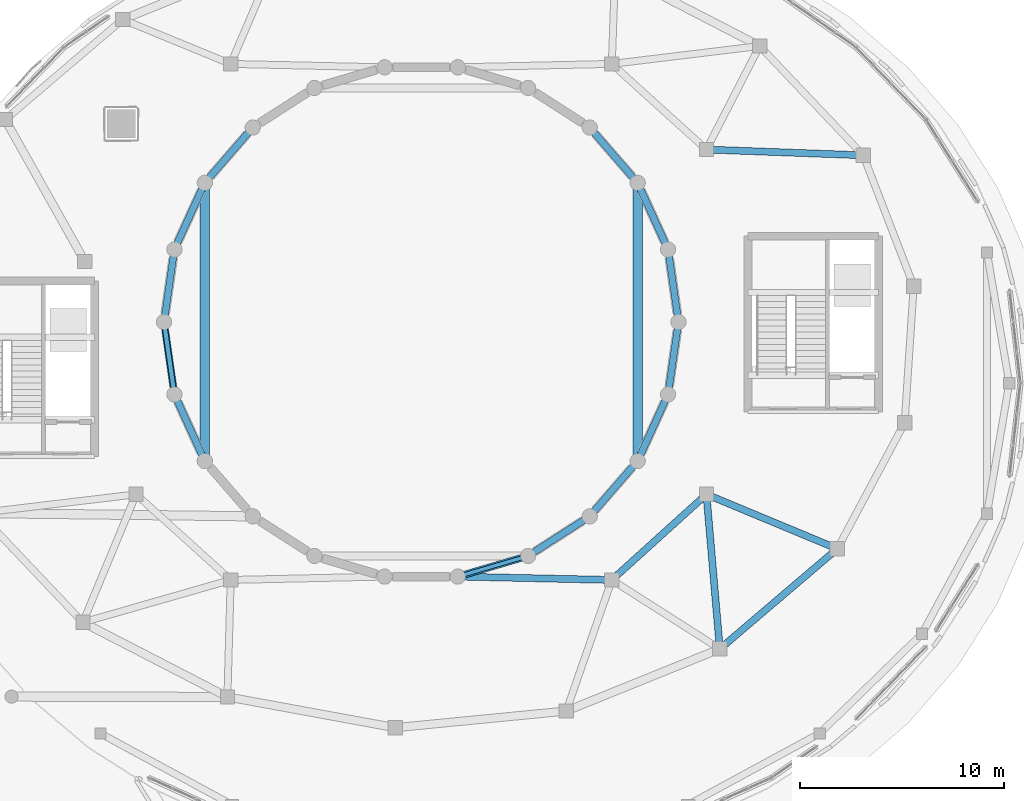
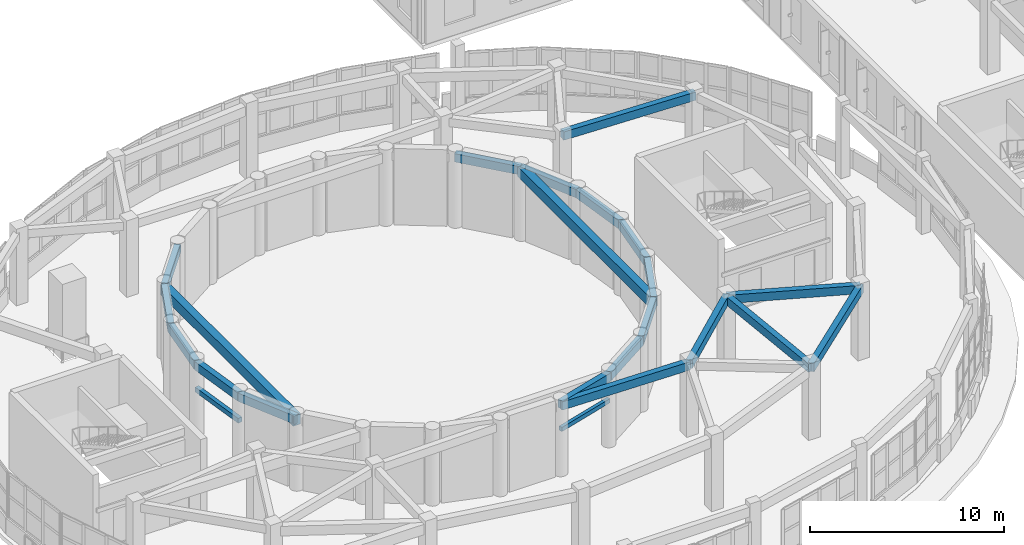
# One storey, part 41 of 98: 23 beams.
"""IFC4 building model written with IfcOpenShell, lengths in metres."""

import ifcopenshell
import ifcopenshell.guid

model = None  # the IFC model being written
_history = None  # IfcOwnerHistory: only IFC2X3 demands one
_inside = {}  # id of a spatial element -> (the spatial element, [elements in it])
_under = {}  # id of a project, library or spatial element -> (it, [spatial elements below it])
_declared = {}  # id of a project -> (the project, [libraries it declares])
_typed = {}  # id of a type object -> (the type object, [elements of that type])
_made_of = {}  # id of a material, layer set ... -> (it, [elements and type objects made of it])


def new_model(schema):
    """Start an empty IFC model of exactly this schema.

    Asked for "IFC4X3", IfcOpenShell would pick the latest addendum, in which some entities
    have other attributes; the version numbers below select the first issue.
    IFC2X3 requires an IfcOwnerHistory on every rooted entity: one is made here for all.
    """
    global model, _history
    if schema == "IFC4X3":
        model = ifcopenshell.file(schema_version=(4, 3, 0, 0))
    else:
        model = ifcopenshell.file(schema=schema)
    _inside.clear()
    _under.clear()
    _declared.clear()
    _typed.clear()
    _made_of.clear()
    _history = None
    if model.schema == "IFC2X3":
        org = make("IfcOrganization", Name="unknown")
        user = make(
            "IfcPersonAndOrganization",
            ThePerson=make("IfcPerson", FamilyName="unknown"),
            TheOrganization=org,
        )
        app = make(
            "IfcApplication",
            ApplicationDeveloper=org,
            Version="unknown",
            ApplicationFullName="unknown",
            ApplicationIdentifier="unknown",
        )
        _history = make(
            "IfcOwnerHistory",
            OwningUser=user,
            OwningApplication=app,
            ChangeAction="ADDED",
            CreationDate=0,
        )
    return model


def make(cls, **values):
    """One entity of the class cls with the attributes given. An attribute that is None is left unset."""
    return model.create_entity(
        cls, **{name: value for name, value in values.items() if value is not None}
    )


def rooted(cls, **values):
    """An entity with a GlobalId (a new one), such as an element, a storey or a relation."""
    return make(cls, GlobalId=ifcopenshell.guid.new(), OwnerHistory=_history, **values)


def si_unit(unit_type, name, prefix=None):
    """IfcSIUnit, for example si_unit("LENGTHUNIT", "METRE", prefix="MILLI")."""
    return make("IfcSIUnit", UnitType=unit_type, Prefix=prefix, Name=name)


def assignment(units):
    """IfcUnitAssignment: the units of a project."""
    return None if units is None else make("IfcUnitAssignment", Units=units)


def point(xyz):
    """IfcCartesianPoint."""
    return None if xyz is None else make("IfcCartesianPoint", Coordinates=xyz)


def direction(xyz):
    """IfcDirection."""
    return None if xyz is None else make("IfcDirection", DirectionRatios=xyz)


def frame(location, z_axis=None, x_axis=None):
    """IfcAxis2Placement3D, a coordinate frame: its origin and axes. An axis left out is left unset."""
    return make(
        "IfcAxis2Placement3D",
        Location=point(location),
        Axis=direction(z_axis),
        RefDirection=direction(x_axis),
    )


def frame_2d(location, x_axis=None):
    """IfcAxis2Placement2D, a coordinate frame in the plane: its origin and x axis."""
    return make(
        "IfcAxis2Placement2D", Location=point(location), RefDirection=direction(x_axis)
    )


def origin():
    """The frame at (0, 0, 0) with its axes left unset."""
    return frame((0.0, 0.0, 0.0))


def origin_2d():
    """The frame at (0, 0) in the plane with its x axis left unset."""
    return frame_2d((0.0, 0.0))


def place(relative_to, where):
    """IfcLocalPlacement: puts the frame where relative to a parent placement (None: the world)."""
    return make(
        "IfcLocalPlacement", PlacementRelTo=relative_to, RelativePlacement=where
    )


def context(
    kind, dimensions, precision=None, world=None, true_north=None, identifier=None
):
    """IfcGeometricRepresentationContext, for example the 3D "Model" context."""
    return make(
        "IfcGeometricRepresentationContext",
        ContextIdentifier=identifier,
        ContextType=kind,
        CoordinateSpaceDimension=dimensions,
        Precision=precision,
        WorldCoordinateSystem=world,
        TrueNorth=true_north,
    )


def subcontext(parent, identifier, kind, view, scale=None):
    """IfcGeometricRepresentationSubContext, for example "Body" below "Model"."""
    return make(
        "IfcGeometricRepresentationSubContext",
        ContextIdentifier=identifier,
        ContextType=kind,
        ParentContext=parent,
        TargetScale=scale,
        TargetView=view,
    )


def project(units=None, contexts=None):
    """IfcProject with its units and contexts."""
    return rooted(
        "IfcProject",
        Name="project",
        RepresentationContexts=contexts,
        UnitsInContext=assignment(units),
    )


def spatial(cls, under=None, at=None, **own):
    """A site, building, storey or space (cls), placed at a placement, below another one or the project."""
    s = rooted(cls, ObjectPlacement=at, **own)
    if under is not None:
        _under.setdefault(under.id(), (under, []))[1].append(s)
    return s


def profile(cls, at=None, kind="AREA", **sizes):
    """A parametric profile (cls). Its sizes go by their IFC names, for example OverallWidth=200.0."""
    return make(cls, ProfileType=kind, Position=at, **sizes)


def rectangle(**sizes):
    """IfcRectangleProfileDef."""
    return profile("IfcRectangleProfileDef", **sizes)


def extrude(swept, where, along, depth):
    """IfcExtrudedAreaSolid: the profile swept, set in the frame where, extruded along a direction by depth."""
    return make(
        "IfcExtrudedAreaSolid",
        SweptArea=swept,
        Position=where,
        ExtrudedDirection=direction(along),
        Depth=depth,
    )


def shape(context_of_items, identifier, shape_type, items):
    """IfcShapeRepresentation: the items that make up one representation, for example the "Body"."""
    return make(
        "IfcShapeRepresentation",
        ContextOfItems=context_of_items,
        RepresentationIdentifier=identifier,
        RepresentationType=shape_type,
        Items=items,
    )


def material(Name=None, Category=None):
    """IfcMaterial."""
    return make("IfcMaterial", Name=Name, Category=Category)


def material_profile(
    of_material, cross_section, Name=None, Category=None, Priority=None
):
    """IfcMaterialProfile: a cross section and its material."""
    return make(
        "IfcMaterialProfile",
        Name=Name,
        Material=of_material,
        Profile=cross_section,
        Priority=Priority,
        Category=Category,
    )


def profile_set(profiles, Name=None, composite=None):
    """IfcMaterialProfileSet."""
    return make(
        "IfcMaterialProfileSet",
        Name=Name,
        MaterialProfiles=profiles,
        CompositeProfile=composite,
    )


def made_of(thing, what):
    """Note that an element or type object is made of a material, layer set ...; save() writes the relation."""
    if what is not None:
        _made_of.setdefault(what.id(), (what, []))[1].append(thing)
    return thing


def type_object(cls, material=None, **own):
    """A type object (cls), such as IfcWallType, which elements share."""
    return made_of(rooted(cls, **own), material)


def element(
    cls,
    number,
    at=None,
    inside=None,
    cuts=None,
    type_object=None,
    material=None,
    context=None,
    identifier="Body",
    shape_type=None,
    held_by="IfcProductDefinitionShape",
    body=None,
    shapes=None,
    **own,
):
    """One element of the class cls, such as IfcWall. Its Tag is "e" and its number.

    at: its placement. inside: the storey or other place that contains it. cuts: it is an
    opening in that element (IfcRelVoidsElement). A single representation is given by context,
    identifier, shape_type and body (its items); several are given by shapes. held_by: the class
    of the entity that holds the representations. save() writes the other relations.
    """
    e = rooted(cls, Tag="e%d" % number, ObjectPlacement=at, **own)
    if body is not None:
        shapes = [shape(context, identifier, shape_type, body)]
    if shapes is not None:
        e.Representation = make(held_by, Representations=shapes)
    if inside is not None:
        _inside.setdefault(inside.id(), (inside, []))[1].append(e)
    if cuts is not None:
        rooted(
            "IfcRelVoidsElement", RelatingBuildingElement=cuts, RelatedOpeningElement=e
        )
    if type_object is not None:
        _typed.setdefault(type_object.id(), (type_object, []))[1].append(e)
    return made_of(e, material)


def aggregate(whole, parts):
    """IfcRelAggregates: a whole, such as a stair, and the parts it consists of."""
    return rooted("IfcRelAggregates", RelatingObject=whole, RelatedObjects=parts)


def save(model, path):
    """Write the relations noted so far, then the file.

    IfcRelAggregates (storeys below a building ...), IfcRelContainedInSpatialStructure (elements
    in a storey), IfcRelDefinesByType, IfcRelAssociatesMaterial and IfcRelDeclares: one each for
    every whole, place, type object, material and project.
    """
    for whole, parts in _under.values():
        aggregate(whole, parts)
    for where, things in _inside.values():
        rooted(
            "IfcRelContainedInSpatialStructure",
            RelatedElements=things,
            RelatingStructure=where,
        )
    for kind, things in _typed.values():
        rooted("IfcRelDefinesByType", RelatedObjects=things, RelatingType=kind)
    for what, things in _made_of.values():
        rooted("IfcRelAssociatesMaterial", RelatedObjects=things, RelatingMaterial=what)
    for by, libraries in _declared.values():
        rooted("IfcRelDeclares", RelatingContext=by, RelatedDefinitions=libraries)
    model.write(path)


model = new_model("IFC4")

# Units and contexts
model_context = context("Model", 3, precision=1e-05, world=origin(), true_north=direction((0.0, 1.0)))
body_context = subcontext(model_context, "Body", "Model", "MODEL_VIEW")
ifc_project = project(units=[si_unit("LENGTHUNIT", "METRE"), si_unit("AREAUNIT", "SQUARE_METRE"), si_unit("VOLUMEUNIT", "CUBIC_METRE"), si_unit("PLANEANGLEUNIT", "RADIAN"), si_unit("MASSUNIT", "GRAM", prefix="KILO")], contexts=[model_context])

# Site, building, storey
site_placement = place(None, origin())
site = spatial("IfcSite", under=ifc_project, at=site_placement, CompositionType="ELEMENT")
building_placement = place(site_placement, origin())
building = spatial("IfcBuilding", under=site, at=building_placement, Name="Pelvatis Terrace Science Centre", CompositionType="ELEMENT")
storey_placement = place(building_placement, frame((0.0, 0.0, 5.39990234375)))
storey = spatial("IfcBuildingStorey", under=building, at=storey_placement, Name="L01", CompositionType="ELEMENT", Elevation=5.39990234375)

# Beams
ifc_material_1 = material(Name="Concrete C35/45", Category="concrete")
ifc_material_profile_1 = material_profile(ifc_material_1, rectangle(XDim=0.340087890625, YDim=0.52001953125, at=origin_2d()), Name="RC-BM 340x520")
ifc_profile_set_1 = profile_set([ifc_material_profile_1], Name="Concrete C35/45")
beam_type_1 = type_object("IfcBeamType", Name="BM-RC-340x520", PredefinedType="BEAM", material=ifc_profile_set_1)
for number, where, z_axis, x_axis, name in (
    (1, (121.800048828125, 85.800048828125, 4.280029296875), (-0.142345759139, 0.989816995639, 0.0), (-0.989816995639, -0.142345759139, 0.0), "Beam BM-L01-2537"),
    (2, (121.800048828125, 85.800048828125, 4.280029296875), (-0.142345759139, -0.989816995639, 0.0), (0.989816995639, -0.142345759139, 0.0), "Beam BM-L01-2538"),
):
    element("IfcBeam", number, at=place(storey_placement, frame(where, z_axis=z_axis, x_axis=x_axis)), inside=storey, type_object=beam_type_1, Name=name, PredefinedType="BEAM", context=body_context, shape_type="SweptSolid", body=[
        extrude(rectangle(XDim=0.340087890625, YDim=0.52001953125, at=origin_2d()), origin(), (0.0, 0.0, 1.0), 3.58642578125),
    ])
beam_1_placement = place(storey_placement, frame((121.28955078125, 89.349853515625, 4.280029296875), z_axis=(-0.41540256811, 0.909637678643, 0.0), x_axis=(-0.909637678643, -0.41540256811, 0.0)))
element("IfcBeam", 3, at=beam_1_placement, inside=storey, type_object=beam_type_1, Name="Beam BM-L01-2539", PredefinedType="BEAM", context=body_context, shape_type="SweptSolid", body=[
    extrude(rectangle(XDim=0.340087890625, YDim=0.52001953125, at=origin_2d()), origin(), (0.0, 0.0, 1.0), 3.586181640625),
])
for number, where, z_axis, x_axis, name in (
    (4, (119.7998046875, 92.612060546875, 4.280029296875), (-0.654863153819, 0.755747477515, 0.0), (-0.755747477515, -0.654863153819, 0.0), "Beam BM-L01-2540"),
    (5, (100.94873046875, 95.322509765625, 4.280029296875), (-0.654863153819, -0.755747477515, 0.0), (0.755747477515, -0.654863153819, 0.0), "Beam BM-L01-2550"),
):
    element("IfcBeam", number, at=place(storey_placement, frame(where, z_axis=z_axis, x_axis=x_axis)), inside=storey, type_object=beam_type_1, Name=name, PredefinedType="BEAM", context=body_context, shape_type="SweptSolid", body=[
        extrude(rectangle(XDim=0.340087890625, YDim=0.52001953125, at=origin_2d()), origin(), (0.0, 0.0, 1.0), 3.58642578125),
    ])
for number, where, z_axis, x_axis, name in (
    (6, (98.60009765625, 92.612060546875, 4.280029296875), (-0.41540256811, -0.909637678643, 0.0), (0.909637678643, -0.41540256811, 0.0), "Beam BM-L01-2551"),
    (7, (97.1103515625, 89.349853515625, 4.280029296875), (-0.142279062089, -0.98982658506, 0.0), (0.98982658506, -0.142279062089, 0.0), "Beam BM-L01-2553"),
    (8, (96.60009765625, 85.800048828125, 4.280029296875), (0.142279062089, -0.98982658506, 0.0), (0.98982658506, 0.142279062089, 0.0), "Beam BM-L01-2554"),
):
    element("IfcBeam", number, at=place(storey_placement, frame(where, z_axis=z_axis, x_axis=x_axis)), inside=storey, type_object=beam_type_1, Name=name, PredefinedType="BEAM", context=body_context, shape_type="SweptSolid", body=[
        extrude(rectangle(XDim=0.340087890625, YDim=0.52001953125, at=origin_2d()), origin(), (0.0, 0.0, 1.0), 3.586181640625),
    ])
beam_2_placement = place(storey_placement, frame((97.1103515625, 82.250244140625, 4.280029296875), z_axis=(0.415376845768, -0.909649424778, 0.0), x_axis=(0.909649424778, 0.415376845768, 0.0)))
element("IfcBeam", 9, at=beam_2_placement, inside=storey, type_object=beam_type_1, Name="Beam BM-L01-2555", PredefinedType="BEAM", context=body_context, shape_type="SweptSolid", body=[
    extrude(rectangle(XDim=0.340087890625, YDim=0.52001953125, at=origin_2d()), origin(), (0.0, 0.0, 1.0), 3.58642578125),
])
beam_3_placement = place(storey_placement, frame((110.9931640625, 73.328125, 4.280029296875), z_axis=(0.959481412085, 0.281771928808, 0.0), x_axis=(-0.281771928808, 0.959481412085, 0.0)))
element("IfcBeam", 10, at=beam_3_placement, inside=storey, type_object=beam_type_1, Name="Beam BM-L01-2563", PredefinedType="BEAM", context=body_context, shape_type="SweptSolid", body=[
    extrude(rectangle(XDim=0.340087890625, YDim=0.52001953125, at=origin_2d()), origin(), (0.0, 0.0, 1.0), 3.586181640625),
])
beam_4_placement = place(storey_placement, frame((110.9931640625, 73.328125, 4.280029296875), z_axis=(0.999756299377, -0.022075820636, 0.0), x_axis=(0.022075820636, 0.999756299377, 0.0)))
element("IfcBeam", 11, at=beam_4_placement, inside=storey, type_object=beam_type_1, Name="Beam BM-L01-2564", PredefinedType="BEAM", context=body_context, shape_type="SweptSolid", body=[
    extrude(rectangle(XDim=0.340087890625, YDim=0.52001953125, at=origin_2d()), origin(), (0.0, 0.0, 1.0), 7.54248046875),
])
beam_5_placement = place(storey_placement, frame((114.43408203125, 74.338623046875, 4.280029296875), z_axis=(0.841253667692, 0.540640607607, 0.0), x_axis=(-0.540640607607, 0.841253667692, 0.0)))
element("IfcBeam", 12, at=beam_5_placement, inside=storey, type_object=beam_type_1, Name="Beam BM-L01-2565", PredefinedType="BEAM", context=body_context, shape_type="SweptSolid", body=[
    extrude(rectangle(XDim=0.340087890625, YDim=0.52001953125, at=origin_2d()), origin(), (0.0, 0.0, 1.0), 3.58642578125),
])
beam_6_placement = place(storey_placement, frame((117.451171875, 76.277587890625, 4.280029296875), z_axis=(0.654896845036, 0.755718282406, 0.0), x_axis=(-0.755718282406, 0.654896845036, 0.0)))
element("IfcBeam", 13, at=beam_6_placement, inside=storey, type_object=beam_type_1, Name="Beam BM-L01-2566", PredefinedType="BEAM", context=body_context, shape_type="SweptSolid", body=[
    extrude(rectangle(XDim=0.340087890625, YDim=0.52001953125, at=origin_2d()), origin(), (0.0, 0.0, 1.0), 3.586181640625),
])
beam_7_placement = place(storey_placement, frame((119.7998046875, 78.98779296875, 4.280029296875), z_axis=(0.415376845768, 0.909649424778, 0.0), x_axis=(-0.909649424778, 0.415376845768, 0.0)))
element("IfcBeam", 14, at=beam_7_placement, inside=storey, type_object=beam_type_1, Name="Beam BM-L01-2567", PredefinedType="BEAM", context=body_context, shape_type="SweptSolid", body=[
    extrude(rectangle(XDim=0.340087890625, YDim=0.52001953125, at=origin_2d()), origin(), (0.0, 0.0, 1.0), 3.58642578125),
])
beam_8_placement = place(storey_placement, frame((130.8515625, 93.9619140625, 4.280029296875), z_axis=(-0.999323636049, 0.036773229863, 0.0), x_axis=(-0.036773229863, -0.999323636049, 0.0)))
element("IfcBeam", 15, at=beam_8_placement, inside=storey, type_object=beam_type_1, Name="Beam BM-L01-2624", PredefinedType="BEAM", context=body_context, shape_type="SweptSolid", body=[
    extrude(rectangle(XDim=0.340087890625, YDim=0.52001953125, at=origin_2d()), origin(), (0.0, 0.0, 1.0), 7.68798828125),
])
beam_9_placement = place(storey_placement, frame((123.82421875, 69.786376953125, 4.280029296875), z_axis=(0.761283967921, 0.648418630351, 0.0), x_axis=(-0.648418630351, 0.761283967921, 0.0)))
element("IfcBeam", 16, at=beam_9_placement, inside=storey, type_object=beam_type_1, Name="Beam BM-L01-2646", PredefinedType="BEAM", context=body_context, shape_type="SweptSolid", body=[
    extrude(rectangle(XDim=0.340087890625, YDim=0.52001953125, at=origin_2d()), origin(), (0.0, 0.0, 1.0), 7.56005859375),
])
beam_10_placement = place(storey_placement, frame((123.82421875, 69.786376953125, 4.280029296875), z_axis=(-0.086284318335, 0.99627055382, 0.0), x_axis=(-0.99627055382, -0.086284318335, 0.0)))
element("IfcBeam", 17, at=beam_10_placement, inside=storey, type_object=beam_type_1, Name="Beam BM-L01-2648", PredefinedType="BEAM", context=body_context, shape_type="SweptSolid", body=[
    extrude(rectangle(XDim=0.340087890625, YDim=0.52001953125, at=origin_2d()), origin(), (0.0, 0.0, 1.0), 7.59716796875),
])
beam_11_placement = place(storey_placement, frame((129.57958984375, 74.6884765625, 4.280029296875), z_axis=(-0.923304582387, 0.384068546152, 0.0), x_axis=(-0.384068546152, -0.923304582387, 0.0)))
element("IfcBeam", 18, at=beam_11_placement, inside=storey, type_object=beam_type_1, Name="Beam BM-L01-2650", PredefinedType="BEAM", context=body_context, shape_type="SweptSolid", body=[
    extrude(rectangle(XDim=0.340087890625, YDim=0.52001953125, at=origin_2d()), origin(), (0.0, 0.0, 1.0), 6.943359375),
])
beam_12_placement = place(storey_placement, frame((118.53369140625, 73.16162109375, 4.280029296875), z_axis=(0.741533928448, 0.670915369447, 0.0), x_axis=(-0.670915369447, 0.741533928448, 0.0)))
element("IfcBeam", 19, at=beam_12_placement, inside=storey, type_object=beam_type_1, Name="Beam BM-L01-2653", PredefinedType="BEAM", context=body_context, shape_type="SweptSolid", body=[
    extrude(rectangle(XDim=0.340087890625, YDim=0.52001953125, at=origin_2d()), origin(), (0.0, 0.0, 1.0), 6.25048828125),
])
ifc_material_2 = material(Name="Concrete C35/45", Category="concrete")
ifc_material_profile_2 = material_profile(ifc_material_2, rectangle(XDim=0.449951171875, YDim=0.64990234375, at=origin_2d()), Name="RC-BM 450x650")
ifc_profile_set_2 = profile_set([ifc_material_profile_2], Name="Concrete C35/45")
beam_type_2 = type_object("IfcBeamType", Name="BM-RC-450x650", PredefinedType="BEAM", material=ifc_profile_set_2)
for number, where, z_axis, x_axis, name in (
    (20, (119.7998046875, 92.612060546875, 4.215087890625), (0.0, -1.0, 0.0), (1.0, 0.0, 0.0), "Beam BM-L01-2541"),
    (21, (98.60009765625, 92.612060546875, 4.215087890625), (0.0, -1.0, 0.0), (1.0, 0.0, 0.0), "Beam BM-L01-2552"),
):
    element("IfcBeam", number, at=place(storey_placement, frame(where, z_axis=z_axis, x_axis=x_axis)), inside=storey, type_object=beam_type_2, Name=name, PredefinedType="BEAM", context=body_context, shape_type="SweptSolid", body=[
        extrude(rectangle(XDim=0.449951171875, YDim=0.64990234375, at=origin_2d()), origin(), (0.0, 0.0, 1.0), 13.624267578125),
    ])
ifc_material_3 = material(Name="Concrete C35/45", Category="concrete")
ifc_material_profile_3 = material_profile(ifc_material_3, rectangle(XDim=0.199951171875, YDim=0.260009765625, at=origin_2d()), Name="RC-LNT 200x260")
ifc_profile_set_3 = profile_set([ifc_material_profile_3], Name="Concrete C35/45")
beam_type_3 = type_object("IfcBeamType", Name="LNT-RC-200x260", PredefinedType="LINTEL", material=ifc_profile_set_3)
beam_13_placement = place(storey_placement, frame((110.9931640625, 73.328125, 2.75), z_axis=(0.959481412085, 0.281771928808, 0.0), x_axis=(-0.281771928808, 0.959481412085, 0.0)))
element("IfcBeam", 22, at=beam_13_placement, inside=storey, type_object=beam_type_3, Name="Planetarium portal structural lintel 18 (L01)", PredefinedType="LINTEL", context=body_context, shape_type="SweptSolid", body=[
    extrude(rectangle(XDim=0.199951171875, YDim=0.260009765625, at=origin_2d()), origin(), (0.0, 0.0, 1.0), 3.586181640625),
])
ifc_material_4 = material(Name="Concrete C35/45", Category="concrete")
ifc_material_profile_4 = material_profile(ifc_material_4, rectangle(XDim=0.239990234375, YDim=0.300048828125, at=origin_2d()), Name="RC-LNT 240x300")
ifc_profile_set_4 = profile_set([ifc_material_profile_4], Name="Concrete C35/45")
beam_type_4 = type_object("IfcBeamType", Name="LNT-RC-240x300", PredefinedType="LINTEL", material=ifc_profile_set_4)
beam_14_placement = place(storey_placement, frame((96.60009765625, 85.800048828125, 2.75), z_axis=(0.142279062089, -0.98982658506, 0.0), x_axis=(0.98982658506, 0.142279062089, 0.0)))
element("IfcBeam", 23, at=beam_14_placement, inside=storey, type_object=beam_type_4, Name="Planetarium portal structural lintel 12 (L01)", PredefinedType="LINTEL", context=body_context, shape_type="SweptSolid", body=[
    extrude(rectangle(XDim=0.239990234375, YDim=0.300048828125, at=origin_2d()), origin(), (0.0, 0.0, 1.0), 3.586181640625),
])

save(model, "model.ifc")
